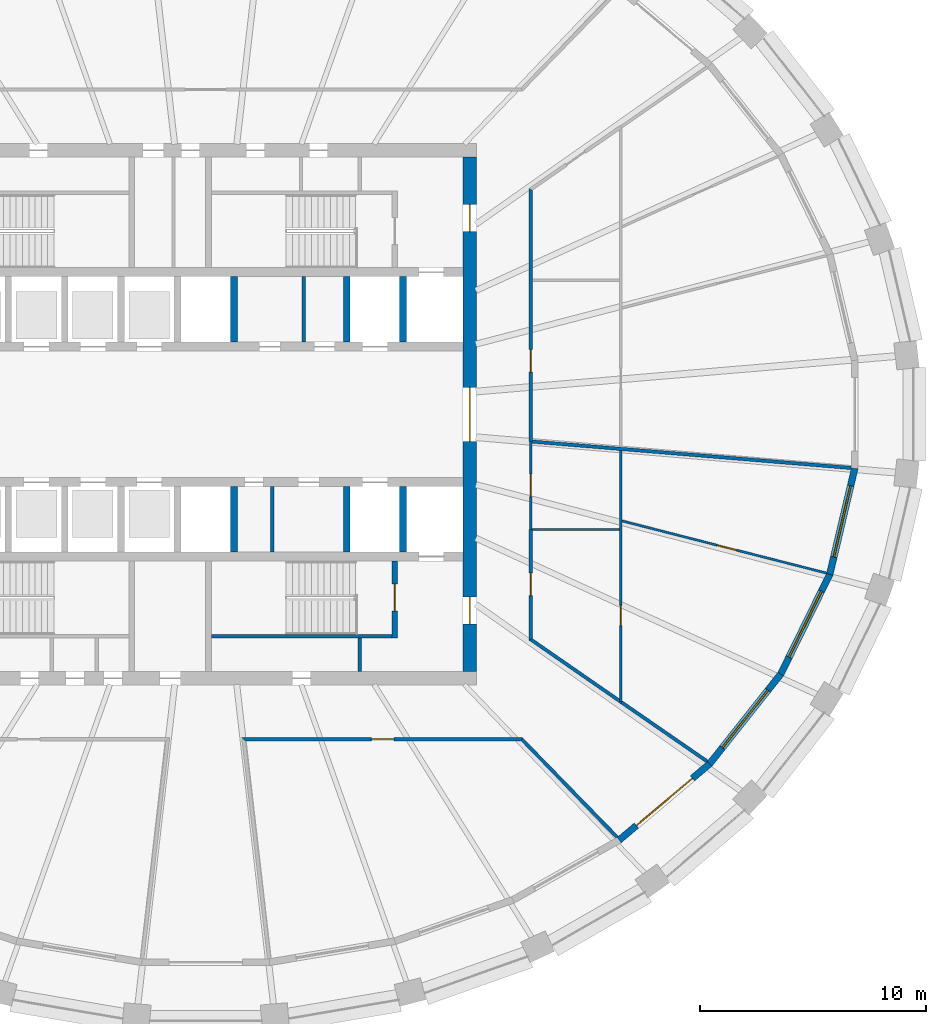
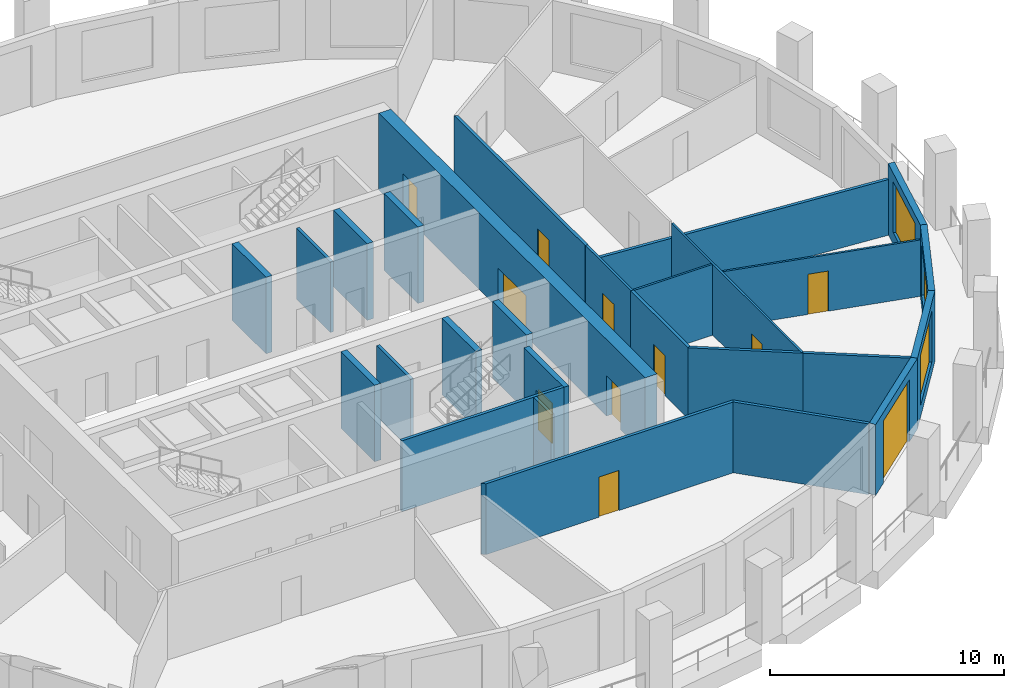
# One storey, part 5 of 11: 27 walls, 11 doors, 3 windows, 14 openings.
"""IFC4 building model written with IfcOpenShell, lengths in metres."""

import ifcopenshell
import ifcopenshell.guid

model = None  # the IFC model being written
_history = None  # IfcOwnerHistory: only IFC2X3 demands one
_inside = {}  # id of a spatial element -> (the spatial element, [elements in it])
_under = {}  # id of a project, library or spatial element -> (it, [spatial elements below it])
_declared = {}  # id of a project -> (the project, [libraries it declares])
_typed = {}  # id of a type object -> (the type object, [elements of that type])
_made_of = {}  # id of a material, layer set ... -> (it, [elements and type objects made of it])


def new_model(schema):
    """Start an empty IFC model of exactly this schema.

    Asked for "IFC4X3", IfcOpenShell would pick the latest addendum, in which some entities
    have other attributes; the version numbers below select the first issue.
    IFC2X3 requires an IfcOwnerHistory on every rooted entity: one is made here for all.
    """
    global model, _history
    if schema == "IFC4X3":
        model = ifcopenshell.file(schema_version=(4, 3, 0, 0))
    else:
        model = ifcopenshell.file(schema=schema)
    _inside.clear()
    _under.clear()
    _declared.clear()
    _typed.clear()
    _made_of.clear()
    _history = None
    if model.schema == "IFC2X3":
        org = make("IfcOrganization", Name="unknown")
        user = make(
            "IfcPersonAndOrganization",
            ThePerson=make("IfcPerson", FamilyName="unknown"),
            TheOrganization=org,
        )
        app = make(
            "IfcApplication",
            ApplicationDeveloper=org,
            Version="unknown",
            ApplicationFullName="unknown",
            ApplicationIdentifier="unknown",
        )
        _history = make(
            "IfcOwnerHistory",
            OwningUser=user,
            OwningApplication=app,
            ChangeAction="ADDED",
            CreationDate=0,
        )
    return model


def make(cls, **values):
    """One entity of the class cls with the attributes given. An attribute that is None is left unset."""
    return model.create_entity(
        cls, **{name: value for name, value in values.items() if value is not None}
    )


def rooted(cls, **values):
    """An entity with a GlobalId (a new one), such as an element, a storey or a relation."""
    return make(cls, GlobalId=ifcopenshell.guid.new(), OwnerHistory=_history, **values)


def si_unit(unit_type, name, prefix=None):
    """IfcSIUnit, for example si_unit("LENGTHUNIT", "METRE", prefix="MILLI")."""
    return make("IfcSIUnit", UnitType=unit_type, Prefix=prefix, Name=name)


def assignment(units):
    """IfcUnitAssignment: the units of a project."""
    return None if units is None else make("IfcUnitAssignment", Units=units)


def point(xyz):
    """IfcCartesianPoint."""
    return None if xyz is None else make("IfcCartesianPoint", Coordinates=xyz)


def direction(xyz):
    """IfcDirection."""
    return None if xyz is None else make("IfcDirection", DirectionRatios=xyz)


def frame(location, z_axis=None, x_axis=None):
    """IfcAxis2Placement3D, a coordinate frame: its origin and axes. An axis left out is left unset."""
    return make(
        "IfcAxis2Placement3D",
        Location=point(location),
        Axis=direction(z_axis),
        RefDirection=direction(x_axis),
    )


def frame_2d(location, x_axis=None):
    """IfcAxis2Placement2D, a coordinate frame in the plane: its origin and x axis."""
    return make(
        "IfcAxis2Placement2D", Location=point(location), RefDirection=direction(x_axis)
    )


def origin():
    """The frame at (0, 0, 0) with its axes left unset."""
    return frame((0.0, 0.0, 0.0))


def place(relative_to, where):
    """IfcLocalPlacement: puts the frame where relative to a parent placement (None: the world)."""
    return make(
        "IfcLocalPlacement", PlacementRelTo=relative_to, RelativePlacement=where
    )


def context(
    kind, dimensions, precision=None, world=None, true_north=None, identifier=None
):
    """IfcGeometricRepresentationContext, for example the 3D "Model" context."""
    return make(
        "IfcGeometricRepresentationContext",
        ContextIdentifier=identifier,
        ContextType=kind,
        CoordinateSpaceDimension=dimensions,
        Precision=precision,
        WorldCoordinateSystem=world,
        TrueNorth=true_north,
    )


def subcontext(parent, identifier, kind, view, scale=None):
    """IfcGeometricRepresentationSubContext, for example "Body" below "Model"."""
    return make(
        "IfcGeometricRepresentationSubContext",
        ContextIdentifier=identifier,
        ContextType=kind,
        ParentContext=parent,
        TargetScale=scale,
        TargetView=view,
    )


def project(units=None, contexts=None):
    """IfcProject with its units and contexts."""
    return rooted(
        "IfcProject",
        Name="project",
        RepresentationContexts=contexts,
        UnitsInContext=assignment(units),
    )


def spatial(cls, under=None, at=None, **own):
    """A site, building, storey or space (cls), placed at a placement, below another one or the project."""
    s = rooted(cls, ObjectPlacement=at, **own)
    if under is not None:
        _under.setdefault(under.id(), (under, []))[1].append(s)
    return s


def polyline(points):
    """IfcPolyline through the points."""
    return make("IfcPolyline", Points=[point(p) for p in points])


def profile(cls, at=None, kind="AREA", **sizes):
    """A parametric profile (cls). Its sizes go by their IFC names, for example OverallWidth=200.0."""
    return make(cls, ProfileType=kind, Position=at, **sizes)


def rectangle(**sizes):
    """IfcRectangleProfileDef."""
    return profile("IfcRectangleProfileDef", **sizes)


def outline(outer, holes=None, kind="AREA"):
    """IfcArbitraryClosedProfileDef: a profile drawn as a closed curve; with holes, ...WithVoids."""
    if holes is None:
        return make("IfcArbitraryClosedProfileDef", ProfileType=kind, OuterCurve=outer)
    return make(
        "IfcArbitraryProfileDefWithVoids",
        ProfileType=kind,
        OuterCurve=outer,
        InnerCurves=holes,
    )


def extrude(swept, where, along, depth):
    """IfcExtrudedAreaSolid: the profile swept, set in the frame where, extruded along a direction by depth."""
    return make(
        "IfcExtrudedAreaSolid",
        SweptArea=swept,
        Position=where,
        ExtrudedDirection=direction(along),
        Depth=depth,
    )


def shape(context_of_items, identifier, shape_type, items):
    """IfcShapeRepresentation: the items that make up one representation, for example the "Body"."""
    return make(
        "IfcShapeRepresentation",
        ContextOfItems=context_of_items,
        RepresentationIdentifier=identifier,
        RepresentationType=shape_type,
        Items=items,
    )


def material(Name=None, Category=None):
    """IfcMaterial."""
    return make("IfcMaterial", Name=Name, Category=Category)


def layer(
    of_material, thickness, ventilated=None, Name=None, Category=None, Priority=None
):
    """IfcMaterialLayer: one layer of a wall or slab, of a material (None: an air gap)."""
    return make(
        "IfcMaterialLayer",
        Material=of_material,
        LayerThickness=thickness,
        IsVentilated=ventilated,
        Name=Name,
        Category=Category,
        Priority=Priority,
    )


def layer_set(layers, Name=None):
    """IfcMaterialLayerSet."""
    return make("IfcMaterialLayerSet", MaterialLayers=layers, LayerSetName=Name)


def made_of(thing, what):
    """Note that an element or type object is made of a material, layer set ...; save() writes the relation."""
    if what is not None:
        _made_of.setdefault(what.id(), (what, []))[1].append(thing)
    return thing


def type_object(cls, material=None, **own):
    """A type object (cls), such as IfcWallType, which elements share."""
    return made_of(rooted(cls, **own), material)


def element(
    cls,
    number,
    at=None,
    inside=None,
    cuts=None,
    type_object=None,
    material=None,
    context=None,
    identifier="Body",
    shape_type=None,
    held_by="IfcProductDefinitionShape",
    body=None,
    shapes=None,
    **own,
):
    """One element of the class cls, such as IfcWall. Its Tag is "e" and its number.

    at: its placement. inside: the storey or other place that contains it. cuts: it is an
    opening in that element (IfcRelVoidsElement). A single representation is given by context,
    identifier, shape_type and body (its items); several are given by shapes. held_by: the class
    of the entity that holds the representations. save() writes the other relations.
    """
    e = rooted(cls, Tag="e%d" % number, ObjectPlacement=at, **own)
    if body is not None:
        shapes = [shape(context, identifier, shape_type, body)]
    if shapes is not None:
        e.Representation = make(held_by, Representations=shapes)
    if inside is not None:
        _inside.setdefault(inside.id(), (inside, []))[1].append(e)
    if cuts is not None:
        rooted(
            "IfcRelVoidsElement", RelatingBuildingElement=cuts, RelatedOpeningElement=e
        )
    if type_object is not None:
        _typed.setdefault(type_object.id(), (type_object, []))[1].append(e)
    return made_of(e, material)


def fill(opening, filler):
    """IfcRelFillsElement: the door or window that sits in an opening."""
    return rooted(
        "IfcRelFillsElement",
        RelatingOpeningElement=opening,
        RelatedBuildingElement=filler,
    )


def aggregate(whole, parts):
    """IfcRelAggregates: a whole, such as a stair, and the parts it consists of."""
    return rooted("IfcRelAggregates", RelatingObject=whole, RelatedObjects=parts)


def save(model, path):
    """Write the relations noted so far, then the file.

    IfcRelAggregates (storeys below a building ...), IfcRelContainedInSpatialStructure (elements
    in a storey), IfcRelDefinesByType, IfcRelAssociatesMaterial and IfcRelDeclares: one each for
    every whole, place, type object, material and project.
    """
    for whole, parts in _under.values():
        aggregate(whole, parts)
    for where, things in _inside.values():
        rooted(
            "IfcRelContainedInSpatialStructure",
            RelatedElements=things,
            RelatingStructure=where,
        )
    for kind, things in _typed.values():
        rooted("IfcRelDefinesByType", RelatedObjects=things, RelatingType=kind)
    for what, things in _made_of.values():
        rooted("IfcRelAssociatesMaterial", RelatedObjects=things, RelatingMaterial=what)
    for by, libraries in _declared.values():
        rooted("IfcRelDeclares", RelatingContext=by, RelatedDefinitions=libraries)
    model.write(path)


model = new_model("IFC4")

# Units and contexts
model_context = context("Model", 3, precision=1e-05, world=origin(), true_north=direction((0.0, 1.0)))
body_context = subcontext(model_context, "Body", "Model", "MODEL_VIEW")
ifc_project = project(units=[si_unit("LENGTHUNIT", "METRE"), si_unit("AREAUNIT", "SQUARE_METRE"), si_unit("VOLUMEUNIT", "CUBIC_METRE"), si_unit("PLANEANGLEUNIT", "RADIAN"), si_unit("MASSUNIT", "GRAM", prefix="KILO")], contexts=[model_context])

# Site, building, storey
site_placement = place(None, origin())
site = spatial("IfcSite", under=ifc_project, at=site_placement, CompositionType="ELEMENT")
building_placement = place(site_placement, origin())
building = spatial("IfcBuilding", under=site, at=building_placement, Name="Halqa Exchange Tower", CompositionType="ELEMENT")
storey_placement = place(building_placement, frame((0.0, 0.0, 234.89990234375)))
storey = spatial("IfcBuildingStorey", under=building, at=storey_placement, Name="L54", CompositionType="ELEMENT", Elevation=234.89990234375)

# Wall, opening, door
ifc_material_1 = material(Name="Fire-rated gypsum board")
ifc_layer_1 = layer(ifc_material_1, 0.14990234375)
ifc_layer_set_1 = layer_set([ifc_layer_1], Name="Fire-rated gypsum board")
wall_type_1 = type_object("IfcWallType", Name="Fire partition EI 60 150", PredefinedType="PARTITIONING", material=ifc_layer_set_1)
wall_1_placement = place(storey_placement, frame((14.041748046875, -14.39990234375, 0.0), z_axis=(0.0, 0.0, 1.0), x_axis=(-1.0, 0.0, 0.0)))
wall_1 = element("IfcWall", 1, at=wall_1_placement, inside=storey, type_object=wall_type_1, Name="L54-PWL-014", PredefinedType="PARTITIONING", context=body_context, shape_type="SweptSolid", body=[
    extrude(outline(polyline([(12.446044921875, -0.074951171875), (12.446044921875, -0.074951171875), (12.277587890625, 0.074951171875), (10.53271484375, 0.074951171875), (8.787841796875, 0.074951171875), (7.04296875, 0.074951171875), (5.298095703125, 0.074951171875), (3.55322265625, 0.074951171875), (1.808349609375, 0.074951171875), (0.063232421875, 0.074951171875), (0.0, -0.074951171875), (1.778076171875, -0.074951171875), (3.55615234375, -0.074951171875), (5.333984375, -0.074951171875), (7.112060546875, -0.074951171875), (8.89013671875, -0.074951171875), (10.66796875, -0.074951171875), (12.446044921875, -0.074951171875)])), origin(), (0.0, 0.0, 1.0), 3.7001953125),
])
opening_1_placement = place(wall_1_placement, frame((5.69677734375, 0.0, 0.0)))
opening_1 = element("IfcOpeningElement", 2, at=opening_1_placement, cuts=wall_1, Name="Opening 16-06", PredefinedType="OPENING", context=body_context, shape_type="SweptSolid", body=[
    extrude(rectangle(XDim=1.0, YDim=2.10009765625, at=frame_2d((0.5, 1.050048828125))), frame((0.0, 0.0869140625, 0.0), z_axis=(0.0, -1.0, 0.0), x_axis=(1.0, 0.0, 0.0)), (0.0, 0.0, 1.0), 0.173828125),
])
ifc_material_2 = material(Name="Steel fire door leaf", Category="steel")
door_type_1 = type_object("IfcDoorType", Name="Fire door FD30S 1000 x 2100", OperationType="SINGLE_SWING_LEFT", PredefinedType="DOOR", material=ifc_material_2)
door_1_placement = place(opening_1_placement, origin())
door_1 = element("IfcDoor", 3, at=door_1_placement, inside=storey, type_object=door_type_1, Name="L54-IDR-006", OperationType="SINGLE_SWING_LEFT", OverallHeight=2.10009765625, OverallWidth=1.0, PredefinedType="DOOR", context=body_context, shape_type="SweptSolid", body=[
    extrude(rectangle(XDim=1.0, YDim=2.10009765625, at=frame_2d((0.5, 1.050048828125))), frame((0.0, 0.02490234375, 0.0), z_axis=(0.0, -1.0, 0.0), x_axis=(1.0, 0.0, 0.0)), (0.0, 0.0, 1.0), 0.050048828125),
])
fill(opening_1, door_1)

# Wall
wall_2_placement = place(storey_placement, frame((14.36767578125, -9.947509765625, 0.0), z_axis=(0.0, 0.0, 1.0), x_axis=(0.822094305235, -0.569351344339, 0.0)))
element("IfcWall", 4, at=wall_2_placement, inside=storey, type_object=wall_type_1, Name="L54-PWL-016", PredefinedType="PARTITIONING", context=body_context, shape_type="SweptSolid", body=[
    extrude(outline(polyline([(4.93896484375, -0.074951171875), (4.93896484375, 0.035888671875), (4.858154296875, -0.02001953125), (4.792236328125, 0.074951171875), (3.220947265625, 0.074951171875), (1.64990234375, 0.074951171875), (0.07861328125, 0.074951171875), (0.039306640625, 0.0), (0.000244140625, -0.074951171875), (1.646484375, -0.074951171875), (3.292724609375, -0.074951171875), (4.93896484375, -0.074951171875)])), origin(), (0.0, 0.0, 1.0), 3.7001953125),
])

# Wall, opening, door
wall_3_placement = place(storey_placement, frame((14.39990234375, -5.10009765625, 0.0), z_axis=(0.0, 0.0, 1.0), x_axis=(0.0, -1.0, 0.0)))
wall_3 = element("IfcWall", 5, at=wall_3_placement, inside=storey, type_object=wall_type_1, Name="L54-PWL-017", PredefinedType="PARTITIONING", context=body_context, shape_type="SweptSolid", body=[
    extrude(outline(polyline([(4.9091796875, -0.074951171875), (4.9091796875, -0.074951171875), (4.830810546875, 0.074951171875), (3.220458984375, 0.074951171875), (1.6103515625, 0.074951171875), (0.0, 0.074951171875), (0.0, -0.074951171875), (1.636474609375, -0.074951171875), (3.272705078125, -0.074951171875), (4.9091796875, -0.074951171875)])), origin(), (0.0, 0.0, 1.0), 3.7001953125),
])
opening_2_placement = place(wall_3_placement, frame((1.93505859375, 0.0, 0.0)))
opening_2 = element("IfcOpeningElement", 6, at=opening_2_placement, cuts=wall_3, Name="Opening 16-08", PredefinedType="OPENING", context=body_context, shape_type="SweptSolid", body=[
    extrude(rectangle(XDim=1.0, YDim=2.10009765625, at=frame_2d((0.5, 1.050048828125))), frame((0.0, 0.0869140625, 0.0), z_axis=(0.0, -1.0, 0.0), x_axis=(1.0, 0.0, 0.0)), (0.0, 0.0, 1.0), 0.173828125),
])
door_2_placement = place(opening_2_placement, origin())
door_2 = element("IfcDoor", 7, at=door_2_placement, inside=storey, type_object=door_type_1, Name="L54-IDR-008", OperationType="SINGLE_SWING_RIGHT", OverallHeight=2.10009765625, OverallWidth=1.0, PredefinedType="DOOR", context=body_context, shape_type="SweptSolid", body=[
    extrude(rectangle(XDim=1.0, YDim=2.10009765625, at=frame_2d((0.5, 1.050048828125))), frame((0.0, 0.02490234375, 0.0), z_axis=(0.0, -1.0, 0.0), x_axis=(1.0, 0.0, 0.0)), (0.0, 0.0, 1.0), 0.050048828125),
])
fill(opening_2, door_2)

wall_4_placement = place(storey_placement, frame((14.39990234375, -1.199951171875, 0.0), z_axis=(0.0, 0.0, 1.0), x_axis=(0.0, 1.0, 0.0)))
wall_4 = element("IfcWall", 8, at=wall_4_placement, inside=storey, type_object=wall_type_1, Name="L54-PWL-019", PredefinedType="PARTITIONING", context=body_context, shape_type="SweptSolid", body=[
    extrude(outline(polyline([(0.0, -0.074951171875), (1.855224609375, -0.074951171875), (3.710205078125, -0.074951171875), (5.5654296875, -0.074951171875), (7.42041015625, -0.074951171875), (9.275634765625, -0.074951171875), (11.130859375, -0.074951171875), (11.209228515625, 0.074951171875), (11.209228515625, 0.074951171875), (9.341064453125, 0.074951171875), (7.472900390625, 0.074951171875), (5.6044921875, 0.074951171875), (3.736328125, 0.074951171875), (1.8681640625, 0.074951171875), (0.0, 0.074951171875), (0.0, -0.074951171875)])), origin(), (0.0, 0.0, 1.0), 3.7001953125),
])
opening_3_placement = place(wall_4_placement, frame((3.070068359375, 0.0, 0.0)))
opening_3 = element("IfcOpeningElement", 9, at=opening_3_placement, cuts=wall_4, Name="Opening 16-10", PredefinedType="OPENING", context=body_context, shape_type="SweptSolid", body=[
    extrude(rectangle(XDim=1.0, YDim=2.10009765625, at=frame_2d((0.5, 1.050048828125))), frame((0.0, 0.0869140625, 0.0), z_axis=(0.0, -1.0, 0.0), x_axis=(1.0, 0.0, 0.0)), (0.0, 0.0, 1.0), 0.173828125),
])
door_3_placement = place(opening_3_placement, frame((1.0, 0.0, 0.0), z_axis=(0.0, 0.0, 1.0), x_axis=(-1.0, 0.0, 0.0)))
door_3 = element("IfcDoor", 10, at=door_3_placement, inside=storey, type_object=door_type_1, Name="L54-IDR-010", OperationType="SINGLE_SWING_RIGHT", OverallHeight=2.10009765625, OverallWidth=1.0, PredefinedType="DOOR", context=body_context, shape_type="SweptSolid", body=[
    extrude(rectangle(XDim=1.0, YDim=2.10009765625, at=frame_2d((0.5, 1.050048828125))), frame((0.0, 0.02490234375, 0.0), z_axis=(0.0, -1.0, 0.0), x_axis=(1.0, 0.0, 0.0)), (0.0, 0.0, 1.0), 0.050048828125),
])
fill(opening_3, door_3)

# Walls
wall_5_placement = place(storey_placement, frame((14.46630859375, -1.20556640625, 0.0), z_axis=(0.0, 0.0, 1.0), x_axis=(0.996598124583, -0.082414671491, 0.0)))
element("IfcWall", 11, at=wall_5_placement, inside=storey, type_object=wall_type_1, Name="L54-PWL-020", PredefinedType="PARTITIONING", context=body_context, shape_type="SweptSolid", body=[
    extrude(outline(polyline([(0.0, -0.074951171875), (1.333740234375, -0.074951171875), (2.667236328125, -0.074951171875), (4.0009765625, -0.074951171875), (4.00341796875, -0.07470703125), (4.00341796875, -0.074951171875), (5.700439453125, -0.074951171875), (7.397216796875, -0.074951171875), (9.09423828125, -0.074951171875), (10.791259765625, -0.074951171875), (12.488037109375, -0.074951171875), (14.18505859375, -0.074951171875), (14.189697265625, -0.0439453125), (14.189697265625, 0.074951171875), (12.47509765625, 0.074951171875), (10.7607421875, 0.074951171875), (9.046142578125, 0.074951171875), (7.33154296875, 0.074951171875), (5.6171875, 0.074951171875), (3.902587890625, 0.074951171875), (3.890869140625, 0.073974609375), (3.890869140625, 0.074951171875), (1.946533203125, 0.074951171875), (0.00244140625, 0.074951171875), (0.00830078125, 0.00634765625), (0.0, 0.005615234375), (0.0, -0.074951171875)])), origin(), (0.0, 0.0, 1.0), 2.91015625),
])
wall_6_placement = place(storey_placement, frame((18.242431640625, -18.746826171875, 0.0), z_axis=(0.0, 0.0, 1.0), x_axis=(-0.697616683155, 0.716471188105, 0.0)))
element("IfcWall", 12, at=wall_6_placement, inside=storey, type_object=wall_type_1, Name="L54-PWL-022", PredefinedType="PARTITIONING", context=body_context, shape_type="SweptSolid", body=[
    extrude(outline(polyline([(0.0, -0.074951171875), (1.524658203125, -0.074951171875), (3.04931640625, -0.074951171875), (4.573974609375, -0.074951171875), (6.0986328125, -0.074951171875), (6.06689453125, 0.0), (6.035400390625, 0.074951171875), (4.532958984375, 0.074951171875), (3.030517578125, 0.074951171875), (1.52783203125, 0.074951171875), (0.025390625, 0.074951171875), (0.005126953125, -0.002197265625), (0.0, -0.07177734375), (0.0, -0.074951171875)])), origin(), (0.0, 0.0, 1.0), 3.7001953125),
])
wall_7_placement = place(storey_placement, frame((18.42822265625, -12.759521484375, 0.0), z_axis=(0.0, 0.0, 1.0), x_axis=(0.822939262801, -0.568129360041, 0.0)))
element("IfcWall", 13, at=wall_7_placement, inside=storey, type_object=wall_type_1, Name="L54-PWL-023", PredefinedType="PARTITIONING", context=body_context, shape_type="SweptSolid", body=[
    extrude(outline(polyline([(0.0, -0.074951171875), (1.531494140625, -0.074951171875), (3.062744140625, -0.074951171875), (4.59423828125, -0.074951171875), (4.61474609375, 0.00048828125), (4.619140625, 0.06787109375), (4.619140625, 0.074951171875), (3.079345703125, 0.074951171875), (1.539794921875, 0.074951171875), (0.0, 0.074951171875), (0.0, 0.038330078125), (0.001220703125, 0.03662109375), (0.0, 0.035888671875), (0.0, -0.074951171875)])), origin(), (0.0, 0.0, 1.0), 3.7001953125),
])

# Wall, opening, door
ifc_material_3 = material(Name="Fire-rated glazing", Category="glass")
ifc_layer_2 = layer(ifc_material_3, 0.1201171875)
ifc_layer_set_2 = layer_set([ifc_layer_2], Name="Fire-rated glazing")
wall_type_2 = type_object("IfcWallType", Name="Glazed fire partition EI 60 120", PredefinedType="PARTITIONING", material=ifc_layer_set_2)
wall_8_placement = place(storey_placement, frame((14.39990234375, -1.199951171875, 0.0), z_axis=(0.0, 0.0, 1.0), x_axis=(0.0, -1.0, 0.0)))
wall_8 = element("IfcWall", 14, at=wall_8_placement, inside=storey, type_object=wall_type_2, Name="L54-PWL-018", PredefinedType="PARTITIONING", context=body_context, shape_type="SweptSolid", body=[
    extrude(rectangle(XDim=3.900146484375, YDim=0.1201171875, at=frame_2d((1.9501953125, 0.0))), origin(), (0.0, 0.0, 1.0), 3.7001953125),
])
opening_4_placement = place(wall_8_placement, frame((1.449951171875, 0.0, 0.0)))
opening_4 = element("IfcOpeningElement", 15, at=opening_4_placement, cuts=wall_8, Name="Opening 16-07", PredefinedType="OPENING", context=body_context, shape_type="SweptSolid", body=[
    extrude(rectangle(XDim=1.0, YDim=2.10009765625, at=frame_2d((0.5, 1.050048828125))), frame((0.0, 0.072021484375, 0.0), z_axis=(0.0, -1.0, 0.0), x_axis=(1.0, 0.0, 0.0)), (0.0, 0.0, 1.0), 0.14404296875),
])
door_4_placement = place(opening_4_placement, origin())
door_4 = element("IfcDoor", 16, at=door_4_placement, inside=storey, type_object=door_type_1, Name="L54-IDR-007", OperationType="SINGLE_SWING_LEFT", OverallHeight=2.10009765625, OverallWidth=1.0, PredefinedType="DOOR", context=body_context, shape_type="SweptSolid", body=[
    extrude(rectangle(XDim=1.0, YDim=2.10009765625, at=frame_2d((0.5, 1.050048828125))), frame((0.0, 0.02490234375, 0.0), z_axis=(0.0, -1.0, 0.0), x_axis=(1.0, 0.0, 0.0)), (0.0, 0.0, 1.0), 0.050048828125),
])
fill(opening_4, door_4)

ifc_material_4 = material(Name="Gypsum board")
ifc_layer_3 = layer(ifc_material_4, 0.10009765625)
ifc_layer_set_3 = layer_set([ifc_layer_3], Name="Gypsum board")
wall_type_3 = type_object("IfcWallType", Name="Partition 100 gypsum", PredefinedType="PARTITIONING", material=ifc_layer_set_3)
wall_9_placement = place(storey_placement, frame((18.39990234375, -12.72998046875, 0.0), z_axis=(0.0, 0.0, 1.0), x_axis=(0.0, 1.0, 0.0)))
wall_9 = element("IfcWall", 17, at=wall_9_placement, inside=storey, type_object=wall_type_3, Name="L54-PWL-024", PredefinedType="PARTITIONING", context=body_context, shape_type="SweptSolid", body=[
    extrude(rectangle(XDim=11.119873046875, YDim=0.10009765625, at=frame_2d((5.56005859375, 0.0))), origin(), (0.0, 0.0, 1.0), 3.7001953125),
])
opening_5_placement = place(wall_9_placement, frame((3.364990234375, 0.0, 0.0)))
opening_5 = element("IfcOpeningElement", 18, at=opening_5_placement, cuts=wall_9, Name="Opening 16-12", PredefinedType="OPENING", context=body_context, shape_type="SweptSolid", body=[
    extrude(rectangle(XDim=0.89990234375, YDim=2.10009765625, at=frame_2d((0.449951171875, 1.050048828125))), frame((0.0, 0.06201171875, 0.0), z_axis=(0.0, -1.0, 0.0), x_axis=(1.0, 0.0, 0.0)), (0.0, 0.0, 1.0), 0.1240234375),
])
ifc_material_5 = material(Name="Timber door leaf", Category="wood")
door_type_2 = type_object("IfcDoorType", Name="Door 900 x 2100", OperationType="SINGLE_SWING_LEFT", PredefinedType="DOOR", material=ifc_material_5)
door_5_placement = place(opening_5_placement, origin())
door_5 = element("IfcDoor", 19, at=door_5_placement, inside=storey, type_object=door_type_2, Name="L54-IDR-012", OperationType="SINGLE_SWING_LEFT", OverallHeight=2.10009765625, OverallWidth=0.89990234375, PredefinedType="DOOR", context=body_context, shape_type="SweptSolid", body=[
    extrude(rectangle(XDim=0.89990234375, YDim=2.10009765625, at=frame_2d((0.449951171875, 1.050048828125))), frame((0.0, 0.02490234375, 0.0), z_axis=(0.0, -1.0, 0.0), x_axis=(1.0, 0.0, 0.0)), (0.0, 0.0, 1.0), 0.050048828125),
])
fill(opening_5, door_5)

# Wall
wall_10_placement = place(storey_placement, frame((18.35009765625, -5.10009765625, 0.0), z_axis=(0.0, 0.0, 1.0), x_axis=(-1.0, 0.0, 0.0)))
element("IfcWall", 20, at=wall_10_placement, inside=storey, type_object=wall_type_3, Name="L54-PWL-025", PredefinedType="PARTITIONING", context=body_context, shape_type="SweptSolid", body=[
    extrude(outline(polyline([(3.8896484375, -0.050048828125), (3.8896484375, 0.0), (3.875, 0.0), (3.875, 0.050048828125), (1.9375, 0.050048828125), (0.0, 0.050048828125), (0.0, -0.050048828125), (1.94482421875, -0.050048828125), (3.8896484375, -0.050048828125)])), origin(), (0.0, 0.0, 1.0), 3.7001953125),
])

# Wall, opening, door
wall_11_placement = place(storey_placement, frame((18.437744140625, -4.719482421875, 0.0), z_axis=(0.0, 0.0, 1.0), x_axis=(0.968975503795, -0.247156778269, 0.0)))
wall_11 = element("IfcWall", 21, at=wall_11_placement, inside=storey, type_object=wall_type_3, Name="L54-PWL-026", PredefinedType="PARTITIONING", context=body_context, shape_type="SweptSolid", body=[
    extrude(outline(polyline([(0.025390625, -0.050048828125), (1.89208984375, -0.050048828125), (3.758544921875, -0.050048828125), (5.625244140625, -0.050048828125), (7.49169921875, -0.050048828125), (9.3583984375, -0.050048828125), (9.3671875, -0.008056640625), (9.3671875, 0.050048828125), (7.49365234375, 0.050048828125), (5.620361328125, 0.050048828125), (3.746826171875, 0.050048828125), (1.87353515625, 0.050048828125), (0.0, 0.050048828125), (0.0, 0.049560546875), (0.025390625, -0.050048828125)])), origin(), (0.0, 0.0, 1.0), 2.947021484375),
])
opening_6_placement = place(wall_11_placement, frame((4.36669921875, 0.0, 0.0)))
opening_6 = element("IfcOpeningElement", 22, at=opening_6_placement, cuts=wall_11, Name="Opening 16-13", PredefinedType="OPENING", context=body_context, shape_type="SweptSolid", body=[
    extrude(rectangle(XDim=0.89990234375, YDim=2.10009765625, at=frame_2d((0.449951171875, 1.050048828125))), frame((0.0, 0.06201171875, 0.0), z_axis=(0.0, -1.0, 0.0), x_axis=(1.0, 0.0, 0.0)), (0.0, 0.0, 1.0), 0.1240234375),
])
door_6_placement = place(opening_6_placement, origin())
door_6 = element("IfcDoor", 23, at=door_6_placement, inside=storey, type_object=door_type_2, Name="L54-IDR-013", OperationType="SINGLE_SWING_LEFT", OverallHeight=2.10009765625, OverallWidth=0.89990234375, PredefinedType="DOOR", context=body_context, shape_type="SweptSolid", body=[
    extrude(rectangle(XDim=0.89990234375, YDim=2.10009765625, at=frame_2d((0.449951171875, 1.050048828125))), frame((0.0, 0.02490234375, 0.0), z_axis=(0.0, -1.0, 0.0), x_axis=(1.0, 0.0, 0.0)), (0.0, 0.0, 1.0), 0.050048828125),
])
fill(opening_6, door_6)

# Walls
ifc_layer_4 = layer(ifc_material_4, 0.14990234375)
ifc_layer_set_4 = layer_set([ifc_layer_4], Name="Gypsum board")
wall_type_4 = type_object("IfcWallType", Name="Penthouse riser wall 150 gypsum", PredefinedType="PARTITIONING", material=ifc_layer_set_4)
wall_12_placement = place(storey_placement, frame((6.824951171875, -11.39990234375, 0.0), z_axis=(0.0, 0.0, 1.0), x_axis=(0.0, 1.0, 0.0)))
element("IfcWall", 24, at=wall_12_placement, inside=storey, type_object=wall_type_4, Name="Firefighting lobby west wall S", PredefinedType="PARTITIONING", context=body_context, shape_type="SweptSolid", body=[
    extrude(rectangle(XDim=1.5, YDim=0.14990234375, at=frame_2d((0.75, 0.0))), origin(), (0.0, 0.0, 1.0), 3.7001953125),
])
for number, where, z_axis, x_axis, name in (
    (25, (4.35009765625, 3.199951171875, 0.0), (0.0, 0.0, 1.0), (0.0, 1.0, 0.0), "Freed bay partition NE4.350"),
    (26, (2.949951171875, -6.10009765625, 0.0), (0.0, 0.0, 1.0), (0.0, 1.0, 0.0), "Freed bay partition SE2.950"),
):
    element("IfcWall", number, at=place(storey_placement, frame(where, z_axis=z_axis, x_axis=x_axis)), inside=storey, type_object=wall_type_4, Name=name, PredefinedType="PARTITIONING", context=body_context, shape_type="SweptSolid", body=[
        extrude(rectangle(XDim=2.900146484375, YDim=0.14990234375, at=frame_2d((1.4501953125, 0.0))), origin(), (0.0, 0.0, 1.0), 3.7001953125),
    ])
ifc_material_6 = material(Name="Concrete C60/75", Category="concrete")
ifc_layer_5 = layer(ifc_material_6, 0.300048828125)
ifc_layer_set_5 = layer_set([ifc_layer_5], Name="Concrete C60/75")
wall_type_5 = type_object("IfcWallType", Name="RC core wall 300", PredefinedType="SHEAR", material=ifc_layer_set_5)
for number, where, z_axis, x_axis, name in (
    (27, (1.25, 3.199951171875, 0.0), (0.0, 0.0, 1.0), (0.0, 1.0, 0.0), "Shaft divider N5"),
    (28, (6.25, 3.199951171875, 0.0), (0.0, 0.0, 1.0), (0.0, 1.0, 0.0), "Shaft divider N7"),
    (29, (8.75, 3.199951171875, 0.0), (0.0, 0.0, 1.0), (0.0, 1.0, 0.0), "Shaft divider N8"),
    (30, (1.25, -6.10009765625, 0.0), (0.0, 0.0, 1.0), (0.0, 1.0, 0.0), "Shaft divider S5"),
    (31, (6.25, -6.10009765625, 0.0), (0.0, 0.0, 1.0), (0.0, 1.0, 0.0), "Shaft divider S7"),
    (32, (8.75, -6.10009765625, 0.0), (0.0, 0.0, 1.0), (0.0, 1.0, 0.0), "Shaft divider S8"),
):
    element("IfcWall", number, at=place(storey_placement, frame(where, z_axis=z_axis, x_axis=x_axis)), inside=storey, type_object=wall_type_5, Name=name, PredefinedType="SHEAR", context=body_context, shape_type="SweptSolid", body=[
        extrude(rectangle(XDim=2.900146484375, YDim=0.300048828125, at=frame_2d((1.4501953125, 0.0))), origin(), (0.0, 0.0, 1.0), 4.0),
    ])

# Wall, openings, doors
ifc_material_7 = material(Name="Concrete C70/85", Category="concrete")
ifc_layer_6 = layer(ifc_material_7, 0.60009765625)
ifc_layer_set_6 = layer_set([ifc_layer_6], Name="Concrete C70/85")
wall_type_6 = type_object("IfcWallType", Name="RC core wall 600 C70/85", PredefinedType="SHEAR", material=ifc_layer_set_6)
wall_13_placement = place(storey_placement, frame((11.699951171875, -11.39990234375, 0.0), z_axis=(0.0, 0.0, 1.0), x_axis=(0.0, 1.0, 0.0)))
wall_13 = element("IfcWall", 33, at=wall_13_placement, inside=storey, type_object=wall_type_6, Name="Core wall east", PredefinedType="SHEAR", context=body_context, shape_type="SweptSolid", body=[
    extrude(rectangle(XDim=22.7998046875, YDim=0.60009765625, at=frame_2d((11.39990234375, 0.0))), origin(), (0.0, 0.0, 1.0), 4.0),
])
opening_7_placement = place(wall_13_placement, frame((10.199951171875, 0.0, 0.0)))
opening_7 = element("IfcOpeningElement", 34, at=opening_7_placement, cuts=wall_13, Name="Opening T16-C14", PredefinedType="OPENING", context=body_context, shape_type="SweptSolid", body=[
    extrude(rectangle(XDim=2.39990234375, YDim=2.10009765625, at=frame_2d((1.199951171875, 1.050048828125))), frame((0.0, 0.31201171875, 0.0), z_axis=(0.0, -1.0, 0.0), x_axis=(1.0, 0.0, 0.0)), (0.0, 0.0, 1.0), 0.6240234375),
])
opening_8_placement = place(wall_13_placement, frame((19.5, 0.0, 0.0)))
opening_8 = element("IfcOpeningElement", 35, at=opening_8_placement, cuts=wall_13, Name="Opening T16-C19", PredefinedType="OPENING", context=body_context, shape_type="SweptSolid", body=[
    extrude(rectangle(XDim=1.199951171875, YDim=2.10009765625, at=frame_2d((0.60009765625, 1.050048828125))), frame((0.0, 0.31201171875, 0.0), z_axis=(0.0, -1.0, 0.0), x_axis=(1.0, 0.0, 0.0)), (0.0, 0.0, 1.0), 0.6240234375),
])
opening_9_placement = place(wall_13_placement, frame((2.10009765625, 0.0, 0.0)))
opening_9 = element("IfcOpeningElement", 36, at=opening_9_placement, cuts=wall_13, Name="Opening T16-C20", PredefinedType="OPENING", context=body_context, shape_type="SweptSolid", body=[
    extrude(rectangle(XDim=1.199951171875, YDim=2.10009765625, at=frame_2d((0.60009765625, 1.050048828125))), frame((0.0, 0.31201171875, 0.0), z_axis=(0.0, -1.0, 0.0), x_axis=(1.0, 0.0, 0.0)), (0.0, 0.0, 1.0), 0.6240234375),
])
door_type_3 = type_object("IfcDoorType", Name="Firefighting lobby door FD90 1200 x 2100", OperationType="SINGLE_SWING_RIGHT", PredefinedType="DOOR", material=ifc_material_2)
door_7_placement = place(opening_8_placement, origin())
door_7 = element("IfcDoor", 37, at=door_7_placement, inside=storey, type_object=door_type_3, Name="Firefighting lobby door", OperationType="SINGLE_SWING_RIGHT", OverallHeight=2.10009765625, OverallWidth=1.199951171875, PredefinedType="DOOR", context=body_context, shape_type="SweptSolid", body=[
    extrude(rectangle(XDim=1.199951171875, YDim=2.10009765625, at=frame_2d((0.60009765625, 1.050048828125))), frame((0.0, 0.02490234375, 0.0), z_axis=(0.0, -1.0, 0.0), x_axis=(1.0, 0.0, 0.0)), (0.0, 0.0, 1.0), 0.050048828125),
])
fill(opening_8, door_7)
door_8_placement = place(opening_9_placement, origin())
door_8 = element("IfcDoor", 38, at=door_8_placement, inside=storey, type_object=door_type_3, Name="Firefighting lobby door", OperationType="SINGLE_SWING_LEFT", OverallHeight=2.10009765625, OverallWidth=1.199951171875, PredefinedType="DOOR", context=body_context, shape_type="SweptSolid", body=[
    extrude(rectangle(XDim=1.199951171875, YDim=2.10009765625, at=frame_2d((0.60009765625, 1.050048828125))), frame((0.0, 0.02490234375, 0.0), z_axis=(0.0, -1.0, 0.0), x_axis=(1.0, 0.0, 0.0)), (0.0, 0.0, 1.0), 0.050048828125),
])
fill(opening_9, door_8)
door_type_4 = type_object("IfcDoorType", Name="Lobby double door FD60 2400 x 2100", OperationType="DOUBLE_DOOR_SINGLE_SWING", PredefinedType="DOOR", material=ifc_material_2)
door_9_placement = place(opening_7_placement, origin())
door_9 = element("IfcDoor", 39, at=door_9_placement, inside=storey, type_object=door_type_4, Name="Lift lobby double door", OperationType="DOUBLE_DOOR_SINGLE_SWING", OverallHeight=2.10009765625, OverallWidth=2.39990234375, PredefinedType="DOOR", context=body_context, shape_type="SweptSolid", body=[
    extrude(rectangle(XDim=2.39990234375, YDim=2.10009765625, at=frame_2d((1.199951171875, 1.050048828125))), frame((0.0, 0.02490234375, 0.0), z_axis=(0.0, -1.0, 0.0), x_axis=(1.0, 0.0, 0.0)), (0.0, 0.0, 1.0), 0.050048828125),
])
fill(opening_7, door_9)

# Wall
ifc_material_8 = material(Name="Concrete C30/37", Category="concrete")
ifc_layer_7 = layer(ifc_material_8, 0.14990234375)
ifc_layer_set_7 = layer_set([ifc_layer_7], Name="Concrete C30/37")
wall_type_7 = type_object("IfcWallType", Name="RC stair wall 150 C30/37", PredefinedType="SHEAR", material=ifc_layer_set_7)
wall_14_placement = place(storey_placement, frame((0.25, -9.824951171875, 0.0), z_axis=(0.0, 0.0, 1.0), x_axis=(1.0, 0.0, 0.0)))
element("IfcWall", 40, at=wall_14_placement, inside=storey, type_object=wall_type_7, Name="Stair ST2 north wall S", PredefinedType="SHEAR", context=body_context, shape_type="SweptSolid", body=[
    extrude(rectangle(XDim=8.0, YDim=0.14990234375, at=frame_2d((4.0, 0.0))), origin(), (0.0, 0.0, 1.0), 3.7001953125),
])

# Wall, opening, door
ifc_layer_8 = layer(ifc_material_8, 0.25)
ifc_layer_set_8 = layer_set([ifc_layer_8], Name="Concrete C30/37")
wall_type_8 = type_object("IfcWallType", Name="RC stair wall 250 C30/37", PredefinedType="SHEAR", material=ifc_layer_set_8)
wall_15_placement = place(storey_placement, frame((8.375, -9.89990234375, 0.0), z_axis=(0.0, 0.0, 1.0), x_axis=(0.0, 1.0, 0.0)))
wall_15 = element("IfcWall", 41, at=wall_15_placement, inside=storey, type_object=wall_type_8, Name="Stair ST2 east wall S", PredefinedType="SHEAR", context=body_context, shape_type="SweptSolid", body=[
    extrude(rectangle(XDim=3.39990234375, YDim=0.25, at=frame_2d((1.699951171875, 0.0))), origin(), (0.0, 0.0, 1.0), 3.7001953125),
])
opening_10_placement = place(wall_15_placement, frame((1.175048828125, 0.0, 0.0)))
opening_10 = element("IfcOpeningElement", 42, at=opening_10_placement, cuts=wall_15, Name="Opening T16-C18", PredefinedType="OPENING", context=body_context, shape_type="SweptSolid", body=[
    extrude(rectangle(XDim=1.199951171875, YDim=2.10009765625, at=frame_2d((0.60009765625, 1.050048828125))), frame((0.0, 0.136962890625, 0.0), z_axis=(0.0, -1.0, 0.0), x_axis=(1.0, 0.0, 0.0)), (0.0, 0.0, 1.0), 0.27392578125),
])
door_type_5 = type_object("IfcDoorType", Name="Stair door FD90 1200 x 2100", OperationType="SINGLE_SWING_LEFT", PredefinedType="DOOR", material=ifc_material_2)
door_10_placement = place(opening_10_placement, origin())
door_10 = element("IfcDoor", 43, at=door_10_placement, inside=storey, type_object=door_type_5, Name="Stair door ST4", OperationType="SINGLE_SWING_RIGHT", OverallHeight=2.10009765625, OverallWidth=1.199951171875, PredefinedType="DOOR", context=body_context, shape_type="SweptSolid", body=[
    extrude(rectangle(XDim=1.199951171875, YDim=2.10009765625, at=frame_2d((0.60009765625, 1.050048828125))), frame((0.0, 0.02490234375, 0.0), z_axis=(0.0, -1.0, 0.0), x_axis=(1.0, 0.0, 0.0)), (0.0, 0.0, 1.0), 0.050048828125),
])
fill(opening_10, door_10)

ifc_material_9 = material(Name="Limestone cladding", Category="masonry")
ifc_layer_9 = layer(ifc_material_9, 0.0400390625)
ifc_material_10 = material(Name="Ventilated cavity")
ifc_layer_10 = layer(ifc_material_10, 0.030029296875, ventilated=True)
ifc_material_11 = material(Name="Mineral wool insulation")
ifc_layer_11 = layer(ifc_material_11, 0.10009765625)
ifc_layer_12 = layer(ifc_material_8, 0.10009765625)
ifc_material_12 = material(Name="Internal plaster")
ifc_layer_13 = layer(ifc_material_12, 0.030029296875)
ifc_layer_set_9 = layer_set([ifc_layer_9, ifc_layer_10, ifc_layer_11, ifc_layer_12, ifc_layer_13], Name="Stone-faced insulated wall 300")
wall_type_9 = type_object("IfcWallType", Name="Stone-faced insulated wall 300", PredefinedType="STANDARD", material=ifc_layer_set_9)
wall_16_placement = place(storey_placement, frame((18.326416015625, -18.865478515625, 0.0), z_axis=(0.0, 0.0, 1.0), x_axis=(0.764475071601, 0.644653290459, 0.0)))
wall_16 = element("IfcWall", 44, at=wall_16_placement, inside=storey, type_object=wall_type_9, Name="Glass-line wall 28", PredefinedType="STANDARD", context=body_context, shape_type="SweptSolid", body=[
    extrude(outline(polyline([(-0.01416015625, -0.14990234375), (5.2578125, -0.14990234375), (5.2275390625, 0.14990234375), (0.01416015625, 0.14990234375), (-0.01416015625, -0.14990234375)])), origin(), (0.0, 0.0, 1.0), 3.7001953125),
])
opening_11_placement = place(wall_16_placement, frame((0.996337890625, 0.0, 0.0)))
opening_11 = element("IfcOpeningElement", 45, at=opening_11_placement, cuts=wall_16, Name="Opening LG-F3-07", PredefinedType="OPENING", context=body_context, shape_type="SweptSolid", body=[
    extrude(rectangle(XDim=3.25, YDim=3.25, at=frame_2d((1.625, 1.625))), frame((0.0, 0.162109375, 0.0), z_axis=(0.0, -1.0, 0.0), x_axis=(1.0, 0.0, 0.0)), (0.0, 0.0, 1.0), 0.323974609375),
])
ifc_material_13 = material(Name="Clear low-emissivity glass in aluminium frame", Category="aluminium")
door_type_6 = type_object("IfcDoorType", Name="Glazed sliding loggia door 3250 x 3250", OperationType="DOUBLE_DOOR_SLIDING", PredefinedType="DOOR", material=ifc_material_13)
door_11_placement = place(opening_11_placement, origin())
door_11 = element("IfcDoor", 46, at=door_11_placement, inside=storey, type_object=door_type_6, Name="Loggia door 7", OperationType="DOUBLE_DOOR_SLIDING", OverallHeight=3.25, OverallWidth=3.25, PredefinedType="DOOR", context=body_context, shape_type="SweptSolid", body=[
    extrude(rectangle(XDim=3.25, YDim=3.25, at=frame_2d((1.625, 1.625))), frame((0.0, 0.02490234375, 0.0), z_axis=(0.0, -1.0, 0.0), x_axis=(1.0, 0.0, 0.0)), (0.0, 0.0, 1.0), 0.050048828125),
])
fill(opening_11, door_11)

# Wall, opening, window
wall_17_placement = place(storey_placement, frame((22.334228515625, -15.48583984375, 0.0), z_axis=(0.0, 0.0, 1.0), x_axis=(0.621084984443, 0.783743224596, 0.0)))
wall_17 = element("IfcWall", 47, at=wall_17_placement, inside=storey, type_object=wall_type_9, Name="Glass-line wall 29", PredefinedType="STANDARD", context=body_context, shape_type="SweptSolid", body=[
    extrude(outline(polyline([(-0.01513671875, -0.14990234375), (5.08935546875, -0.14990234375), (5.05712890625, 0.14990234375), (0.01513671875, 0.14990234375), (-0.01513671875, -0.14990234375)])), origin(), (0.0, 0.0, 1.0), 3.7001953125),
])
opening_12_placement = place(wall_17_placement, frame((0.91162109375, 0.0, 0.60009765625)))
opening_12 = element("IfcOpeningElement", 48, at=opening_12_placement, cuts=wall_17, Name="Opening W-F3-29", PredefinedType="OPENING", context=body_context, shape_type="SweptSolid", body=[
    extrude(rectangle(XDim=3.25, YDim=2.64990234375, at=frame_2d((1.625, 1.324951171875))), frame((0.0, 0.162109375, 0.0), z_axis=(0.0, -1.0, 0.0), x_axis=(1.0, 0.0, 0.0)), (0.0, 0.0, 1.0), 0.323974609375),
])
window_type = type_object("IfcWindowType", Name="Fixed clear glazed window 3250 x 2650", PartitioningType="TRIPLE_PANEL_VERTICAL", PredefinedType="WINDOW", material=ifc_material_13)
window_1_placement = place(opening_12_placement, origin())
window_1 = element("IfcWindow", 49, at=window_1_placement, inside=storey, type_object=window_type, Name="Window 3", OverallHeight=2.64990234375, OverallWidth=3.25, PartitioningType="TRIPLE_PANEL_VERTICAL", PredefinedType="WINDOW", context=body_context, shape_type="SweptSolid", body=[
    extrude(rectangle(XDim=3.25, YDim=2.64990234375, at=frame_2d((1.625, 1.324951171875))), frame((0.0, 0.030029296875, 0.0), z_axis=(0.0, -1.0, 0.0), x_axis=(1.0, 0.0, 0.0)), (0.0, 0.0, 1.0), 0.06005859375),
])
fill(opening_12, window_1)

wall_18_placement = place(storey_placement, frame((25.485107421875, -11.509765625, 0.0), z_axis=(0.0, 0.0, 1.0), x_axis=(0.440857641837, 0.897577038272, 0.0)))
wall_18 = element("IfcWall", 50, at=wall_18_placement, inside=storey, type_object=wall_type_9, Name="Glass-line wall 30", PredefinedType="STANDARD", context=body_context, shape_type="SweptSolid", body=[
    extrude(outline(polyline([(-0.01611328125, -0.14990234375), (4.942138671875, -0.14990234375), (4.908447265625, 0.14990234375), (0.01611328125, 0.14990234375), (-0.01611328125, -0.14990234375)])), origin(), (0.0, 0.0, 1.0), 3.7001953125),
])
opening_13_placement = place(wall_18_placement, frame((0.837646484375, 0.0, 0.60009765625)))
opening_13 = element("IfcOpeningElement", 51, at=opening_13_placement, cuts=wall_18, Name="Opening W-F3-30", PredefinedType="OPENING", context=body_context, shape_type="SweptSolid", body=[
    extrude(rectangle(XDim=3.25, YDim=2.64990234375, at=frame_2d((1.625, 1.324951171875))), frame((0.0, 0.162109375, 0.0), z_axis=(0.0, -1.0, 0.0), x_axis=(1.0, 0.0, 0.0)), (0.0, 0.0, 1.0), 0.323974609375),
])
window_2_placement = place(opening_13_placement, origin())
window_2 = element("IfcWindow", 52, at=window_2_placement, inside=storey, type_object=window_type, Name="Window 3", OverallHeight=2.64990234375, OverallWidth=3.25, PartitioningType="TRIPLE_PANEL_VERTICAL", PredefinedType="WINDOW", context=body_context, shape_type="SweptSolid", body=[
    extrude(rectangle(XDim=3.25, YDim=2.64990234375, at=frame_2d((1.625, 1.324951171875))), frame((0.0, 0.030029296875, 0.0), z_axis=(0.0, -1.0, 0.0), x_axis=(1.0, 0.0, 0.0)), (0.0, 0.0, 1.0), 0.06005859375),
])
fill(opening_13, window_2)

wall_19_placement = place(storey_placement, frame((27.656494140625, -7.0888671875, 0.0), z_axis=(0.0, 0.0, 1.0), x_axis=(0.229617574796, 0.97328093033, 0.0)))
wall_19 = element("IfcWall", 53, at=wall_19_placement, inside=storey, type_object=wall_type_9, Name="Glass-line wall 31", PredefinedType="STANDARD", context=body_context, shape_type="SweptSolid", body=[
    extrude(outline(polyline([(-0.016845703125, -0.14990234375), (4.84130859375, -0.14990234375), (4.806640625, 0.14990234375), (0.016845703125, 0.14990234375), (-0.016845703125, -0.14990234375)])), origin(), (0.0, 0.0, 1.0), 3.7001953125),
])
opening_14_placement = place(wall_19_placement, frame((0.786865234375, 0.0, 0.60009765625)))
opening_14 = element("IfcOpeningElement", 54, at=opening_14_placement, cuts=wall_19, Name="Opening W-F3-31", PredefinedType="OPENING", context=body_context, shape_type="SweptSolid", body=[
    extrude(rectangle(XDim=3.25, YDim=2.64990234375, at=frame_2d((1.625, 1.324951171875))), frame((0.0, 0.162109375, 0.0), z_axis=(0.0, -1.0, 0.0), x_axis=(1.0, 0.0, 0.0)), (0.0, 0.0, 1.0), 0.323974609375),
])
window_3_placement = place(opening_14_placement, origin())
window_3 = element("IfcWindow", 55, at=window_3_placement, inside=storey, type_object=window_type, Name="Window 3", OverallHeight=2.64990234375, OverallWidth=3.25, PartitioningType="TRIPLE_PANEL_VERTICAL", PredefinedType="WINDOW", context=body_context, shape_type="SweptSolid", body=[
    extrude(rectangle(XDim=3.25, YDim=2.64990234375, at=frame_2d((1.625, 1.324951171875))), frame((0.0, 0.030029296875, 0.0), z_axis=(0.0, -1.0, 0.0), x_axis=(1.0, 0.0, 0.0)), (0.0, 0.0, 1.0), 0.06005859375),
])
fill(opening_14, window_3)

save(model, "model.ifc")
